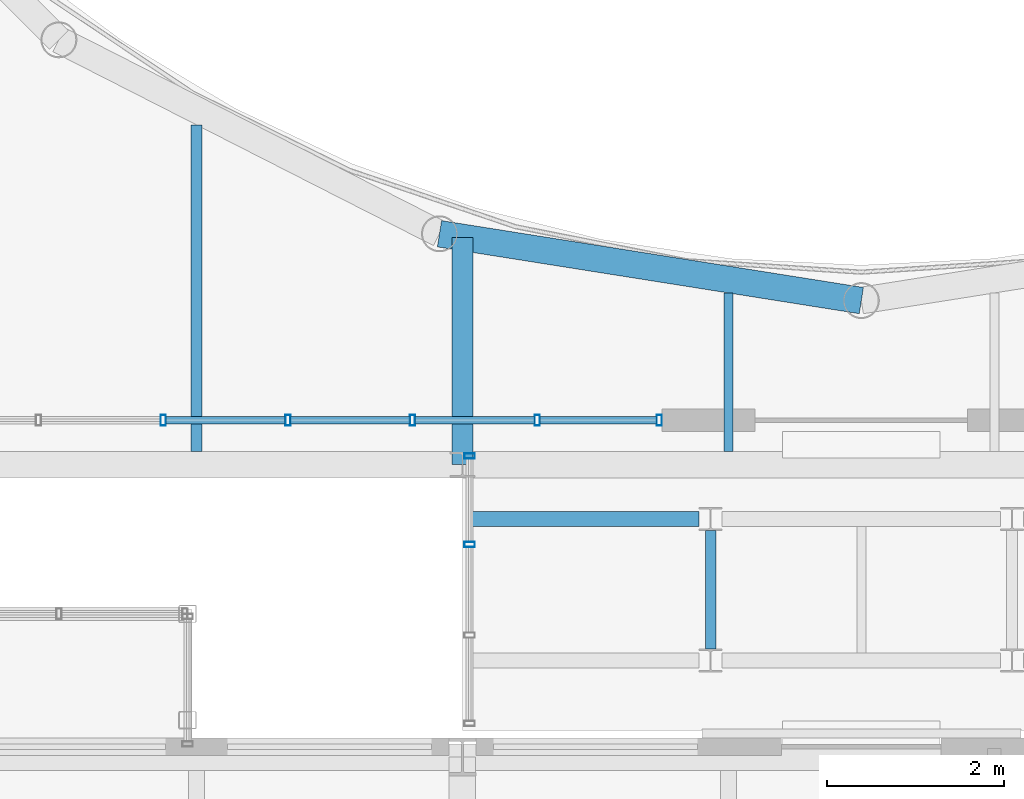
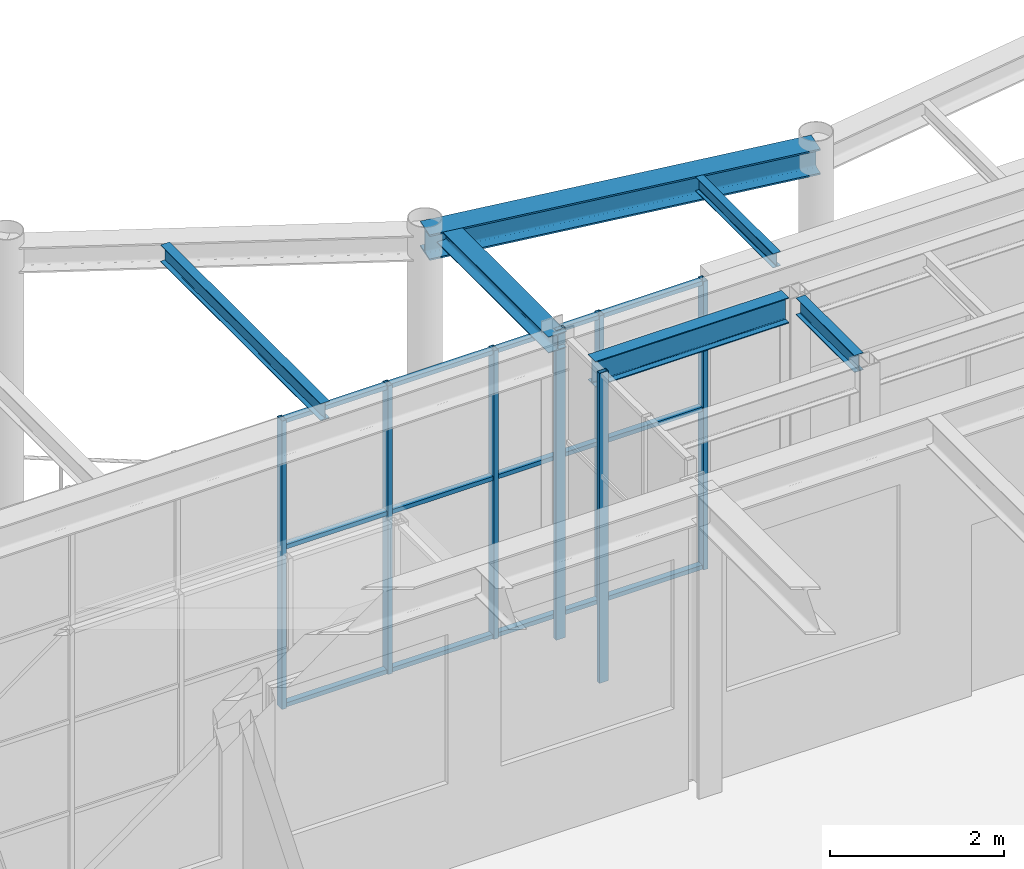
# One storey, part 27 of 70: 19 members, 6 beams, 2 elements without a shape of their own.
"""IFC4 building model written with IfcOpenShell, lengths in metres."""

from ifc_helpers import new_model, si_unit, direction, frame, origin, origin_2d, place, context, subcontext, project, spatial, hollow_rectangle, i_section, extrude, material, layer, layer_set, material_profile, profile_set, type_object, element, aggregate, save


model = new_model("IFC4")

# Units and contexts
model_context = context("Model", 3, precision=1e-05, world=origin(), true_north=direction((0.0, 1.0)))
body_context = subcontext(model_context, "Body", "Model", "MODEL_VIEW")
ifc_project = project(units=[si_unit("LENGTHUNIT", "METRE"), si_unit("AREAUNIT", "SQUARE_METRE"), si_unit("VOLUMEUNIT", "CUBIC_METRE"), si_unit("PLANEANGLEUNIT", "RADIAN"), si_unit("MASSUNIT", "GRAM", prefix="KILO")], contexts=[model_context])

# Site, building, storey
site_placement = place(None, origin())
site = spatial("IfcSite", under=ifc_project, at=site_placement, CompositionType="ELEMENT")
building_placement = place(site_placement, origin())
building = spatial("IfcBuilding", under=site, at=building_placement, Name="Kallimachos Central Library", CompositionType="ELEMENT")
storey_placement = place(building_placement, frame((0.0, 0.0, 18.89990234375)))
storey = spatial("IfcBuildingStorey", under=building, at=storey_placement, Name="L04", CompositionType="ELEMENT", Elevation=18.89990234375)

# Curtain wall, members
ifc_material_1 = material(Name="Aluminium and laminated glass", Category="aluminium")
curtain_wall_type_1 = type_object("IfcCurtainWallType", Name="Link glazed wall", PredefinedType="NOTDEFINED", material=ifc_material_1)
curtain_wall_1_placement = place(storey_placement, origin())
curtain_wall_1 = element("IfcCurtainWall", 1, at=curtain_wall_1_placement, inside=storey, type_object=curtain_wall_type_1, Name="Reading Link glazed wall L04", PredefinedType="NOTDEFINED")
ifc_material_2 = material(Name="Anodised aluminium", Category="aluminium")
ifc_material_profile_1 = material_profile(ifc_material_2, hollow_rectangle(XDim=0.06005859375, YDim=0.1201171875, WallThickness=0.00390625, at=origin_2d()), Name="ALU MULLION 60x120")
ifc_profile_set_1 = profile_set([ifc_material_profile_1], Name="Anodised aluminium")
member_type_1 = type_object("IfcMemberType", Name="ALU MULLION 60x120 mullion", PredefinedType="MULLION", material=ifc_profile_set_1)
member_1_placement = place(storey_placement, frame((83.580078125, 86.25, 0.0), z_axis=(0.0, 0.0, 1.0), x_axis=(0.0, 1.0, 0.0)))
member_1 = element("IfcMember", 2, at=member_1_placement, type_object=member_type_1, Name="CW70 mullion 3", PredefinedType="MULLION", context=body_context, shape_type="SweptSolid", body=[
    extrude(hollow_rectangle(XDim=0.06005859375, YDim=0.1201171875, WallThickness=0.00390625, at=origin_2d()), origin(), (0.0, 0.0, 1.0), 4.35009765625),
])
member_2_placement = place(storey_placement, frame((83.580078125, 87.2451171875, 0.0), z_axis=(0.0, 0.0, 1.0), x_axis=(0.0, 1.0, 0.0)))
member_2 = element("IfcMember", 3, at=member_2_placement, type_object=member_type_1, Name="CW70 mullion 4", PredefinedType="MULLION", context=body_context, shape_type="SweptSolid", body=[
    extrude(hollow_rectangle(XDim=0.06005859375, YDim=0.1201171875, WallThickness=0.00390625, at=origin_2d()), origin(), (0.0, 0.0, 1.0), 4.35009765625),
])
aggregate(curtain_wall_1, [member_1, member_2])

ifc_material_3 = material(Name="Anodised aluminium and laminated glass", Category="aluminium")
ifc_layer = layer(ifc_material_3, 0.159912109375)
ifc_layer_set = layer_set([ifc_layer], Name="Glass box curtain wall")
curtain_wall_type_2 = type_object("IfcCurtainWallType", Name="Glass box curtain wall", PredefinedType="NOTDEFINED", material=ifc_layer_set)
curtain_wall_2_placement = place(storey_placement, origin())
curtain_wall_2 = element("IfcCurtainWall", 4, at=curtain_wall_2_placement, inside=storey, type_object=curtain_wall_type_2, Name="Glass box curtain wall S L04", PredefinedType="NOTDEFINED")
ifc_material_4 = material(Name="Anodised aluminium", Category="aluminium")
ifc_material_profile_2 = material_profile(ifc_material_4, hollow_rectangle(XDim=0.06005859375, YDim=0.1201171875, WallThickness=0.00390625, at=origin_2d()), Name="ALU MULLION 60x120")
ifc_profile_set_2 = profile_set([ifc_material_profile_2], Name="Anodised aluminium")
member_type_2 = type_object("IfcMemberType", Name="Glass box mullion 60x120", PredefinedType="MULLION", material=ifc_profile_set_2)
member_3_placement = place(storey_placement, frame((80.125, 87.64990234375, 0.0), z_axis=(0.0, 0.0, 1.0), x_axis=(1.0, 0.0, 0.0)))
member_3 = element("IfcMember", 5, at=member_3_placement, type_object=member_type_2, Name="CW28 mullion 5", PredefinedType="MULLION", context=body_context, shape_type="SweptSolid", body=[
    extrude(hollow_rectangle(XDim=0.06005859375, YDim=0.1201171875, WallThickness=0.00390625, at=origin_2d()), origin(), (0.0, 0.0, 1.0), 4.050048828125),
])
member_4_placement = place(storey_placement, frame((81.53125, 87.64990234375, 0.0), z_axis=(0.0, 0.0, 1.0), x_axis=(1.0, 0.0, 0.0)))
member_4 = element("IfcMember", 6, at=member_4_placement, type_object=member_type_2, Name="CW28 mullion 6", PredefinedType="MULLION", context=body_context, shape_type="SweptSolid", body=[
    extrude(hollow_rectangle(XDim=0.06005859375, YDim=0.1201171875, WallThickness=0.00390625, at=origin_2d()), origin(), (0.0, 0.0, 1.0), 4.050048828125),
])
member_5_placement = place(storey_placement, frame((82.9375, 87.64990234375, 0.0), z_axis=(0.0, 0.0, 1.0), x_axis=(1.0, 0.0, 0.0)))
member_5 = element("IfcMember", 7, at=member_5_placement, type_object=member_type_2, Name="CW28 mullion 7", PredefinedType="MULLION", context=body_context, shape_type="SweptSolid", body=[
    extrude(hollow_rectangle(XDim=0.06005859375, YDim=0.1201171875, WallThickness=0.00390625, at=origin_2d()), origin(), (0.0, 0.0, 1.0), 4.050048828125),
])
member_6_placement = place(storey_placement, frame((84.34375, 87.64990234375, 0.0), z_axis=(0.0, 0.0, 1.0), x_axis=(1.0, 0.0, 0.0)))
member_6 = element("IfcMember", 8, at=member_6_placement, type_object=member_type_2, Name="CW28 mullion 8", PredefinedType="MULLION", context=body_context, shape_type="SweptSolid", body=[
    extrude(hollow_rectangle(XDim=0.06005859375, YDim=0.1201171875, WallThickness=0.00390625, at=origin_2d()), origin(), (0.0, 0.0, 1.0), 4.050048828125),
])
member_7_placement = place(storey_placement, frame((85.719970703125, 87.64990234375, 0.0), z_axis=(0.0, 0.0, 1.0), x_axis=(1.0, 0.0, 0.0)))
member_7 = element("IfcMember", 9, at=member_7_placement, type_object=member_type_2, Name="CW28 mullion 9", PredefinedType="MULLION", context=body_context, shape_type="SweptSolid", body=[
    extrude(hollow_rectangle(XDim=0.06005859375, YDim=0.1201171875, WallThickness=0.00390625, at=origin_2d()), origin(), (0.0, 0.0, 1.0), 4.050048828125),
])
ifc_material_5 = material(Name="Anodised aluminium", Category="aluminium")
ifc_material_profile_3 = material_profile(ifc_material_5, hollow_rectangle(XDim=0.06005859375, YDim=0.080078125, WallThickness=0.00390625, at=origin_2d()), Name="ALU TRANSOM 60x80")
ifc_profile_set_3 = profile_set([ifc_material_profile_3], Name="Anodised aluminium")
member_type_3 = type_object("IfcMemberType", Name="Glass box transom 60x80", PredefinedType="USERDEFINED", material=ifc_profile_set_3)
member_8_placement = place(storey_placement, frame((80.155029296875, 87.64990234375, 0.030029296875), z_axis=(1.0, 0.0, 0.0), x_axis=(0.0, 0.0, 1.0)))
member_8 = element("IfcMember", 10, at=member_8_placement, type_object=member_type_3, Name="CW28 transom 5.1", ObjectType="TRANSOM", PredefinedType="USERDEFINED", context=body_context, shape_type="SweptSolid", body=[
    extrude(hollow_rectangle(XDim=0.06005859375, YDim=0.080078125, WallThickness=0.00390625, at=origin_2d()), origin(), (0.0, 0.0, 1.0), 1.34619140625),
])
member_9_placement = place(storey_placement, frame((80.155029296875, 87.64990234375, 2.25), z_axis=(1.0, 0.0, 0.0), x_axis=(0.0, 0.0, 1.0)))
member_9 = element("IfcMember", 11, at=member_9_placement, type_object=member_type_3, Name="CW28 transom 5.2", ObjectType="TRANSOM", PredefinedType="USERDEFINED", context=body_context, shape_type="SweptSolid", body=[
    extrude(hollow_rectangle(XDim=0.06005859375, YDim=0.080078125, WallThickness=0.00390625, at=origin_2d()), origin(), (0.0, 0.0, 1.0), 1.34619140625),
])
member_10_placement = place(storey_placement, frame((80.155029296875, 87.64990234375, 4.02001953125), z_axis=(1.0, 0.0, 0.0), x_axis=(0.0, 0.0, 1.0)))
member_10 = element("IfcMember", 12, at=member_10_placement, type_object=member_type_3, Name="CW28 transom 5.3", ObjectType="TRANSOM", PredefinedType="USERDEFINED", context=body_context, shape_type="SweptSolid", body=[
    extrude(hollow_rectangle(XDim=0.06005859375, YDim=0.080078125, WallThickness=0.00390625, at=origin_2d()), origin(), (0.0, 0.0, 1.0), 1.34619140625),
])
member_11_placement = place(storey_placement, frame((81.561279296875, 87.64990234375, 0.030029296875), z_axis=(1.0, 0.0, 0.0), x_axis=(0.0, 0.0, 1.0)))
member_11 = element("IfcMember", 13, at=member_11_placement, type_object=member_type_3, Name="CW28 transom 6.1", ObjectType="TRANSOM", PredefinedType="USERDEFINED", context=body_context, shape_type="SweptSolid", body=[
    extrude(hollow_rectangle(XDim=0.06005859375, YDim=0.080078125, WallThickness=0.00390625, at=origin_2d()), origin(), (0.0, 0.0, 1.0), 1.34619140625),
])
member_12_placement = place(storey_placement, frame((81.561279296875, 87.64990234375, 2.25), z_axis=(1.0, 0.0, 0.0), x_axis=(0.0, 0.0, 1.0)))
member_12 = element("IfcMember", 14, at=member_12_placement, type_object=member_type_3, Name="CW28 transom 6.2", ObjectType="TRANSOM", PredefinedType="USERDEFINED", context=body_context, shape_type="SweptSolid", body=[
    extrude(hollow_rectangle(XDim=0.06005859375, YDim=0.080078125, WallThickness=0.00390625, at=origin_2d()), origin(), (0.0, 0.0, 1.0), 1.34619140625),
])
member_13_placement = place(storey_placement, frame((81.561279296875, 87.64990234375, 4.02001953125), z_axis=(1.0, 0.0, 0.0), x_axis=(0.0, 0.0, 1.0)))
member_13 = element("IfcMember", 15, at=member_13_placement, type_object=member_type_3, Name="CW28 transom 6.3", ObjectType="TRANSOM", PredefinedType="USERDEFINED", context=body_context, shape_type="SweptSolid", body=[
    extrude(hollow_rectangle(XDim=0.06005859375, YDim=0.080078125, WallThickness=0.00390625, at=origin_2d()), origin(), (0.0, 0.0, 1.0), 1.34619140625),
])
member_14_placement = place(storey_placement, frame((82.967529296875, 87.64990234375, 0.030029296875), z_axis=(1.0, 0.0, 0.0), x_axis=(0.0, 0.0, 1.0)))
member_14 = element("IfcMember", 16, at=member_14_placement, type_object=member_type_3, Name="CW28 transom 7.1", ObjectType="TRANSOM", PredefinedType="USERDEFINED", context=body_context, shape_type="SweptSolid", body=[
    extrude(hollow_rectangle(XDim=0.06005859375, YDim=0.080078125, WallThickness=0.00390625, at=origin_2d()), origin(), (0.0, 0.0, 1.0), 1.34619140625),
])
member_15_placement = place(storey_placement, frame((82.967529296875, 87.64990234375, 2.25), z_axis=(1.0, 0.0, 0.0), x_axis=(0.0, 0.0, 1.0)))
member_15 = element("IfcMember", 17, at=member_15_placement, type_object=member_type_3, Name="CW28 transom 7.2", ObjectType="TRANSOM", PredefinedType="USERDEFINED", context=body_context, shape_type="SweptSolid", body=[
    extrude(hollow_rectangle(XDim=0.06005859375, YDim=0.080078125, WallThickness=0.00390625, at=origin_2d()), origin(), (0.0, 0.0, 1.0), 1.34619140625),
])
member_16_placement = place(storey_placement, frame((82.967529296875, 87.64990234375, 4.02001953125), z_axis=(1.0, 0.0, 0.0), x_axis=(0.0, 0.0, 1.0)))
member_16 = element("IfcMember", 18, at=member_16_placement, type_object=member_type_3, Name="CW28 transom 7.3", ObjectType="TRANSOM", PredefinedType="USERDEFINED", context=body_context, shape_type="SweptSolid", body=[
    extrude(hollow_rectangle(XDim=0.06005859375, YDim=0.080078125, WallThickness=0.00390625, at=origin_2d()), origin(), (0.0, 0.0, 1.0), 1.34619140625),
])
member_17_placement = place(storey_placement, frame((84.373779296875, 87.64990234375, 0.030029296875), z_axis=(1.0, 0.0, 0.0), x_axis=(0.0, 0.0, 1.0)))
member_17 = element("IfcMember", 19, at=member_17_placement, type_object=member_type_3, Name="CW28 transom 8.1", ObjectType="TRANSOM", PredefinedType="USERDEFINED", context=body_context, shape_type="SweptSolid", body=[
    extrude(hollow_rectangle(XDim=0.06005859375, YDim=0.080078125, WallThickness=0.00390625, at=origin_2d()), origin(), (0.0, 0.0, 1.0), 1.316162109375),
])
member_18_placement = place(storey_placement, frame((84.373779296875, 87.64990234375, 2.25), z_axis=(1.0, 0.0, 0.0), x_axis=(0.0, 0.0, 1.0)))
member_18 = element("IfcMember", 20, at=member_18_placement, type_object=member_type_3, Name="CW28 transom 8.2", ObjectType="TRANSOM", PredefinedType="USERDEFINED", context=body_context, shape_type="SweptSolid", body=[
    extrude(hollow_rectangle(XDim=0.06005859375, YDim=0.080078125, WallThickness=0.00390625, at=origin_2d()), origin(), (0.0, 0.0, 1.0), 1.316162109375),
])
member_19_placement = place(storey_placement, frame((84.373779296875, 87.64990234375, 4.02001953125), z_axis=(1.0, 0.0, 0.0), x_axis=(0.0, 0.0, 1.0)))
member_19 = element("IfcMember", 21, at=member_19_placement, type_object=member_type_3, Name="CW28 transom 8.3", ObjectType="TRANSOM", PredefinedType="USERDEFINED", context=body_context, shape_type="SweptSolid", body=[
    extrude(hollow_rectangle(XDim=0.06005859375, YDim=0.080078125, WallThickness=0.00390625, at=origin_2d()), origin(), (0.0, 0.0, 1.0), 1.316162109375),
])
aggregate(curtain_wall_2, [member_3, member_4, member_5, member_6, member_7, member_8, member_9, member_10, member_11, member_12, member_13, member_14, member_15, member_16, member_17, member_18, member_19])

# Beams
ifc_material_6 = material(Name="Steel S355J2", Category="steel")
ifc_material_profile_4 = material_profile(ifc_material_6, i_section(OverallWidth=0.239990234375, OverallDepth=0.22998046875, WebThickness=0.007568359375, FlangeThickness=0.011962890625, FilletRadius=0.02099609375, at=origin_2d()), Name="HEA 240")
ifc_profile_set_4 = profile_set([ifc_material_profile_4], Name="Steel S355J2")
beam_type_1 = type_object("IfcBeamType", Name="HEA 240 beam", PredefinedType="BEAM", material=ifc_profile_set_4)
beam_1_placement = place(storey_placement, frame((83.5, 87.14990234375, 4.235107421875), z_axis=(0.0, 1.0, 0.0), x_axis=(-1.0, 0.0, 0.0)))
element("IfcBeam", 22, at=beam_1_placement, inside=storey, type_object=beam_type_1, Name="V1-BEM-L04-028", PredefinedType="BEAM", context=body_context, shape_type="SweptSolid", body=[
    extrude(i_section(OverallWidth=0.239990234375, OverallDepth=0.22998046875, WebThickness=0.007568359375, FlangeThickness=0.011962890625, FilletRadius=0.02099609375, at=origin_2d()), origin(), (0.0, 0.0, 1.0), 2.562744140625),
])
ifc_material_7 = material(Name="Steel S355J2", Category="steel")
ifc_material_profile_5 = material_profile(ifc_material_7, i_section(OverallWidth=0.300048828125, OverallDepth=0.360107421875, WebThickness=0.012451171875, FlangeThickness=0.0224609375, FilletRadius=0.027099609375, at=origin_2d()), Name="HEB 360")
ifc_profile_set_5 = profile_set([ifc_material_profile_5], Name="Steel S355J2")
beam_type_2 = type_object("IfcBeamType", Name="HEB 360 beam", PredefinedType="BEAM", material=ifc_profile_set_5)
beam_2_placement = place(storey_placement, frame((83.2412109375, 89.753662109375, 4.170166015625), z_axis=(0.987690137413, -0.156423119957, 0.0), x_axis=(0.156423119957, 0.987690137413, 0.0)))
element("IfcBeam", 23, at=beam_2_placement, inside=storey, type_object=beam_type_2, Name="V1-BEM-L04-015", PredefinedType="BEAM", context=body_context, shape_type="SweptSolid", body=[
    extrude(i_section(OverallWidth=0.300048828125, OverallDepth=0.360107421875, WebThickness=0.012451171875, FlangeThickness=0.0224609375, FilletRadius=0.027099609375, at=origin_2d()), origin(), (0.0, 0.0, 1.0), 4.818115234375),
])
ifc_material_8 = material(Name="Steel S355J2", Category="steel")
ifc_material_profile_6 = material_profile(ifc_material_8, i_section(OverallWidth=0.10009765625, OverallDepth=0.199951171875, WebThickness=0.005615234375, FlangeThickness=0.008544921875, FilletRadius=0.011962890625, at=origin_2d()), Name="IPE 200")
ifc_profile_set_6 = profile_set([ifc_material_profile_6], Name="Steel S355J2")
beam_type_3 = type_object("IfcBeamType", Name="IPE 200 beam", PredefinedType="BEAM", material=ifc_profile_set_6)
beam_3_placement = place(storey_placement, frame((86.5, 87.300048828125, 4.25), z_axis=(0.0, 1.0, 0.0), x_axis=(-1.0, 0.0, 0.0)))
element("IfcBeam", 24, at=beam_3_placement, inside=storey, type_object=beam_type_3, Name="V1-BEM-L04-057", PredefinedType="BEAM", context=body_context, shape_type="SweptSolid", body=[
    extrude(i_section(OverallWidth=0.10009765625, OverallDepth=0.199951171875, WebThickness=0.005615234375, FlangeThickness=0.008544921875, FilletRadius=0.011962890625, at=origin_2d()), origin(), (0.0, 0.0, 1.0), 1.78564453125),
])
ifc_material_9 = material(Name="Steel S355J2", Category="steel")
ifc_material_profile_7 = material_profile(ifc_material_9, i_section(OverallWidth=0.1201171875, OverallDepth=0.239990234375, WebThickness=0.006103515625, FlangeThickness=0.009765625, FilletRadius=0.014892578125, at=origin_2d()), Name="IPE 240")
ifc_profile_set_7 = profile_set([ifc_material_profile_7], Name="Steel S355J2")
beam_type_4 = type_object("IfcBeamType", Name="IPE 240 beam", PredefinedType="BEAM", material=ifc_profile_set_7)
beam_4_placement = place(storey_placement, frame((80.5, 87.300048828125, 4.22998046875), z_axis=(0.0, 1.0, 0.0), x_axis=(-1.0, 0.0, 0.0)))
element("IfcBeam", 25, at=beam_4_placement, inside=storey, type_object=beam_type_4, Name="V1-BEM-L04-055", PredefinedType="BEAM", context=body_context, shape_type="SweptSolid", body=[
    extrude(i_section(OverallWidth=0.1201171875, OverallDepth=0.239990234375, WebThickness=0.006103515625, FlangeThickness=0.009765625, FilletRadius=0.014892578125, at=origin_2d()), origin(), (0.0, 0.0, 1.0), 3.681884765625),
])
beam_5_placement = place(storey_placement, frame((86.300048828125, 85.0673828125, 4.22998046875), z_axis=(0.0, 1.0, 0.0), x_axis=(-1.0, 0.0, 0.0)))
element("IfcBeam", 26, at=beam_5_placement, inside=storey, type_object=beam_type_4, Name="links-BEM-L04-008", PredefinedType="BEAM", context=body_context, shape_type="SweptSolid", body=[
    extrude(i_section(OverallWidth=0.1201171875, OverallDepth=0.239990234375, WebThickness=0.006103515625, FlangeThickness=0.009765625, FilletRadius=0.014892578125, at=origin_2d()), origin(), (0.0, 0.0, 1.0), 1.340087890625),
])
ifc_material_10 = material(Name="Steel S355J2", Category="steel")
ifc_material_profile_8 = material_profile(ifc_material_10, i_section(OverallWidth=0.169921875, OverallDepth=0.360107421875, WebThickness=0.008056640625, FlangeThickness=0.0126953125, FilletRadius=0.01806640625, at=origin_2d()), Name="IPE 360")
ifc_profile_set_8 = profile_set([ifc_material_profile_8], Name="Steel S355J2")
beam_type_5 = type_object("IfcBeamType", Name="IPE 360 beam", PredefinedType="BEAM", material=ifc_profile_set_8)
beam_6_placement = place(storey_placement, frame((83.60009765625, 86.53759765625, 4.170166015625), z_axis=(1.0, 0.0, 0.0), x_axis=(0.0, 1.0, 0.0)))
element("IfcBeam", 27, at=beam_6_placement, inside=storey, type_object=beam_type_5, Name="links-BEM-L04-004", PredefinedType="BEAM", context=body_context, shape_type="SweptSolid", body=[
    extrude(i_section(OverallWidth=0.169921875, OverallDepth=0.360107421875, WebThickness=0.008056640625, FlangeThickness=0.0126953125, FilletRadius=0.01806640625, at=origin_2d()), origin(), (0.0, 0.0, 1.0), 2.56982421875),
])

save(model, "model.ifc")
